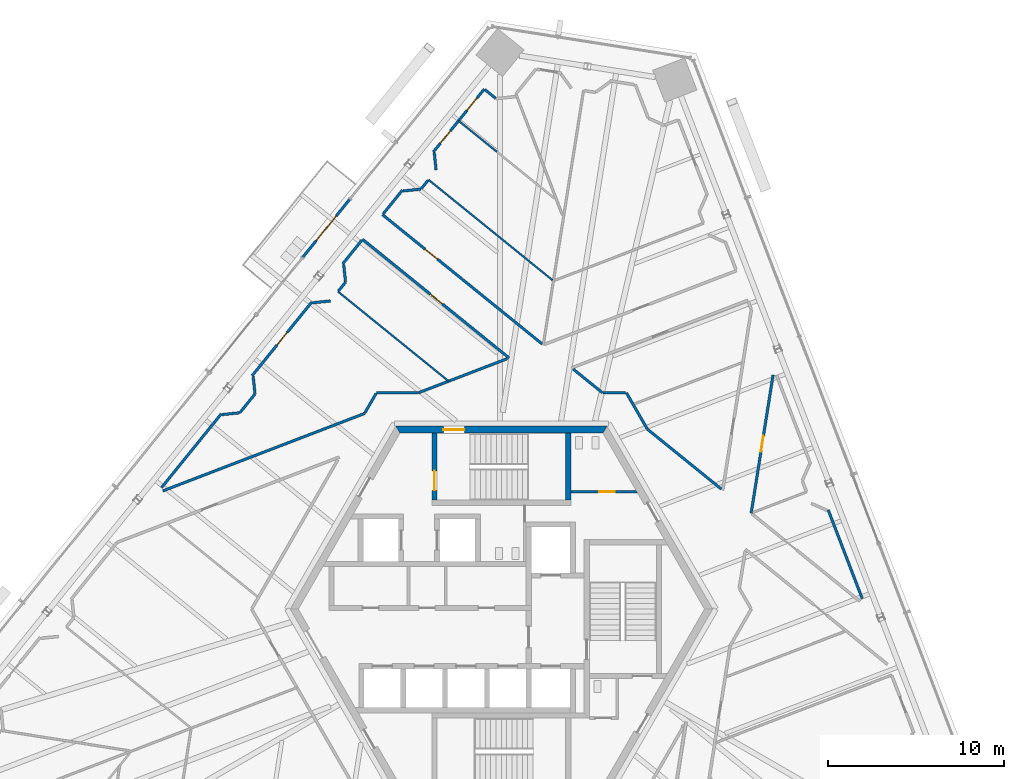
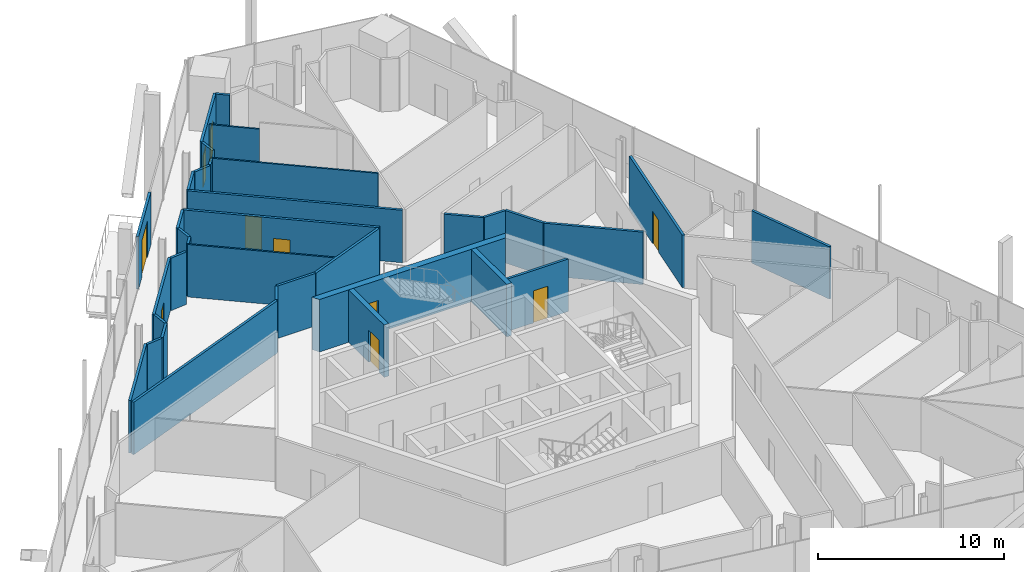
# One storey, part 15 of 23: 35 walls, 10 doors, 10 openings.
"""IFC4 building model written with IfcOpenShell, lengths in metres."""

from ifc_helpers import new_model, si_unit, direction, frame, frame_2d, origin, place, context, subcontext, project, spatial, polyline, rectangle, outline, extrude, source, transform, mapped, material, layer, layer_set, type_object, element, fill, save


model = new_model("IFC4")

# Units and contexts
model_context = context("Model", 3, precision=1e-05, world=origin(), true_north=direction((0.0, 1.0)))
body_context = subcontext(model_context, "Body", "Model", "MODEL_VIEW")
ifc_project = project(units=[si_unit("LENGTHUNIT", "METRE"), si_unit("AREAUNIT", "SQUARE_METRE"), si_unit("VOLUMEUNIT", "CUBIC_METRE"), si_unit("PLANEANGLEUNIT", "RADIAN"), si_unit("MASSUNIT", "GRAM", prefix="KILO")], contexts=[model_context])

# Site, building, storey
site_placement = place(None, origin())
site = spatial("IfcSite", under=ifc_project, at=site_placement, CompositionType="ELEMENT")
building_placement = place(site_placement, origin())
building = spatial("IfcBuilding", under=site, at=building_placement, Name="Triune Harvest Tower", CompositionType="ELEMENT")
storey_placement = place(building_placement, frame((0.0, 0.0, 167.699951171875)))
storey = spatial("IfcBuildingStorey", under=building, at=storey_placement, Name="L43", CompositionType="ELEMENT", Elevation=167.699951171875)

# Wall
ifc_material_1 = material(Name="Gypsum board on steel studs", Category="steel")
ifc_layer_1 = layer(ifc_material_1, 0.14990234375)
ifc_layer_set_1 = layer_set([ifc_layer_1], Name="Gypsum board on steel studs")
wall_type_1 = type_object("IfcWallType", Name="Fire Partition 150 mm", PredefinedType="PARTITIONING", material=ifc_layer_set_1)
wall_1_placement = place(storey_placement, frame((7.097412109375, 12.2919921875, 0.0), z_axis=(0.0, 0.0, 1.0), x_axis=(0.499956277081, -0.866050645752, 0.0)))
element("IfcWall", 1, at=wall_1_placement, inside=storey, type_object=wall_type_1, Name="Partition L43 025", PredefinedType="PARTITIONING", context=body_context, shape_type="SweptSolid", body=[
    extrude(rectangle(XDim=2.380126953125, YDim=0.14990234375, at=frame_2d((1.18994140625, 0.0))), origin(), (0.0, 0.0, 1.0), 3.43994140625),
])

# Wall, opening, door
wall_2_placement = place(storey_placement, frame((-6.7548828125, 22.406982421875, 0.0), z_axis=(0.0, 0.0, 1.0), x_axis=(0.777146947686, -0.629319173157, 0.0)))
wall_2 = element("IfcWall", 2, at=wall_2_placement, inside=storey, type_object=wall_type_1, Name="Partition L43 042", PredefinedType="PARTITIONING", context=body_context, shape_type="SweptSolid", body=[
    extrude(rectangle(XDim=11.67138671875, YDim=0.14990234375, at=frame_2d((5.835693359375, 0.0))), origin(), (0.0, 0.0, 1.0), 3.43994140625),
])
opening_1_placement = place(wall_2_placement, frame((3.118408203125, 0.0, 0.0)))
opening_1 = element("IfcOpeningElement", 3, at=opening_1_placement, cuts=wall_2, Name="Opening L43-016", PredefinedType="OPENING", context=body_context, shape_type="SweptSolid", body=[
    extrude(rectangle(XDim=0.89990234375, YDim=2.10009765625, at=frame_2d((0.449951171875, 1.050048828125))), frame((0.0, 0.0849609375, 0.0), z_axis=(0.0, -1.0, 0.0), x_axis=(1.0, 0.0, 0.0)), (0.0, 0.0, 1.0), 0.169921875),
])
ifc_material_2 = material(Name="Timber and steel door set", Category="steel")
door_type_1 = type_object("IfcDoorType", Name="Single leaf door FD30 left hand 900 x 2100", OperationType="SINGLE_SWING_LEFT", PredefinedType="DOOR", material=ifc_material_2)
door_1_placement = place(opening_1_placement, origin())
door_1 = element("IfcDoor", 4, at=door_1_placement, inside=storey, type_object=door_type_1, Name="Door L43-016 Office 43.16", OperationType="SINGLE_SWING_LEFT", OverallHeight=2.10009765625, OverallWidth=0.89990234375, PredefinedType="DOOR", context=body_context, shape_type="SweptSolid", body=[
    extrude(rectangle(XDim=0.89990234375, YDim=2.10009765625, at=frame_2d((0.449951171875, 1.050048828125))), frame((0.0, 0.02490234375, 0.0), z_axis=(0.0, -1.0, 0.0), x_axis=(1.0, 0.0, 0.0)), (0.0, 0.0, 1.0), 0.050048828125),
])
fill(opening_1, door_1)

# Walls
wall_3_placement = place(storey_placement, frame((8.292236328125, 10.221923828125, 0.0), z_axis=(0.0, 0.0, 1.0), x_axis=(0.777158520976, -0.629304881019, 0.0)))
element("IfcWall", 5, at=wall_3_placement, inside=storey, type_object=wall_type_1, Name="Partition L43 044", PredefinedType="PARTITIONING", context=body_context, shape_type="SweptSolid", body=[
    extrude(rectangle(XDim=5.3994140625, YDim=0.14990234375, at=frame_2d((2.69970703125, 0.0))), origin(), (0.0, 0.0, 1.0), 3.43994140625),
])
wall_4_placement = place(storey_placement, frame((5.765625, 12.292236328125, 0.0), z_axis=(0.0, 0.0, 1.0), x_axis=(1.0, 0.0, 0.0)))
element("IfcWall", 6, at=wall_4_placement, inside=storey, type_object=wall_type_1, Name="Partition L43 075", PredefinedType="PARTITIONING", context=body_context, shape_type="SweptSolid", body=[
    extrude(rectangle(XDim=1.281494140625, YDim=0.14990234375, at=frame_2d((0.640625, 0.0))), origin(), (0.0, 0.0, 1.0), 3.43994140625),
])
wall_5_placement = place(storey_placement, frame((-19.234130859375, 6.7158203125, 0.0), z_axis=(0.0, 0.0, 1.0), x_axis=(0.93358843832, 0.358347077335, 0.0)))
element("IfcWall", 7, at=wall_5_placement, inside=storey, type_object=wall_type_1, Name="Partition L43 093", PredefinedType="PARTITIONING", context=body_context, shape_type="SweptSolid", body=[
    extrude(rectangle(XDim=12.271484375, YDim=0.14990234375, at=frame_2d((6.1357421875, 0.0))), origin(), (0.0, 0.0, 1.0), 3.43994140625),
])
wall_6_placement = place(storey_placement, frame((-4.70654296875, 12.292236328125, 0.0), z_axis=(0.0, 0.0, 1.0), x_axis=(0.933580798553, 0.358366980305, 0.0)))
element("IfcWall", 8, at=wall_6_placement, inside=storey, type_object=wall_type_1, Name="Partition L43 094", PredefinedType="PARTITIONING", context=body_context, shape_type="SweptSolid", body=[
    extrude(rectangle(XDim=5.399658203125, YDim=0.14990234375, at=frame_2d((2.69970703125, 0.0))), origin(), (0.0, 0.0, 1.0), 3.43994140625),
])
wall_7_placement = place(storey_placement, frame((-14.86328125, 11.153564453125, 0.0), z_axis=(0.0, 0.0, 1.0), x_axis=(0.629264797165, 0.777190977205, 0.0)))
element("IfcWall", 9, at=wall_7_placement, inside=storey, type_object=wall_type_1, Name="Partition L43 112", PredefinedType="PARTITIONING", context=body_context, shape_type="SweptSolid", body=[
    extrude(rectangle(XDim=1.37158203125, YDim=0.14990234375, at=frame_2d((0.685791015625, 0.0))), origin(), (0.0, 0.0, 1.0), 3.43994140625),
])
wall_8_placement = place(storey_placement, frame((-9.265625, 18.06640625, 0.0), z_axis=(0.0, 0.0, 1.0), x_axis=(0.629209009151, 0.777236143526, 0.0)))
element("IfcWall", 10, at=wall_8_placement, inside=storey, type_object=wall_type_1, Name="Partition L43 113", PredefinedType="PARTITIONING", context=body_context, shape_type="SweptSolid", body=[
    extrude(rectangle(XDim=0.6513671875, YDim=0.14990234375, at=frame_2d((0.32568359375, 0.0))), origin(), (0.0, 0.0, 1.0), 3.43994140625),
])
wall_9_placement = place(storey_placement, frame((-9.01806640625, 19.612060546875, 0.0), z_axis=(0.0, 0.0, 1.0), x_axis=(0.629338998071, 0.777130893419, 0.0)))
element("IfcWall", 11, at=wall_9_placement, inside=storey, type_object=wall_type_1, Name="Partition L43 119", PredefinedType="PARTITIONING", context=body_context, shape_type="SweptSolid", body=[
    extrude(rectangle(XDim=1.74609375, YDim=0.14990234375, at=frame_2d((0.873046875, 0.0))), origin(), (0.0, 0.0, 1.0), 3.43994140625),
])
wall_10_placement = place(storey_placement, frame((-6.722900390625, 22.446044921875, 0.0), z_axis=(0.0, 0.0, 1.0), x_axis=(0.629238462056, 0.777212299098, 0.0)))
element("IfcWall", 12, at=wall_10_placement, inside=storey, type_object=wall_type_1, Name="Partition L43 120", PredefinedType="PARTITIONING", context=body_context, shape_type="SweptSolid", body=[
    extrude(rectangle(XDim=1.74560546875, YDim=0.14990234375, at=frame_2d((0.872802734375, 0.0))), origin(), (0.0, 0.0, 1.0), 3.43994140625),
])
wall_11_placement = place(storey_placement, frame((-7.76220703125, 11.1396484375, 0.0), z_axis=(0.0, 0.0, 1.0), x_axis=(0.500074377092, 0.865982457891, 0.0)))
element("IfcWall", 13, at=wall_11_placement, inside=storey, type_object=wall_type_1, Name="Partition L43 125", PredefinedType="PARTITIONING", context=body_context, shape_type="SweptSolid", body=[
    extrude(rectangle(XDim=1.281005859375, YDim=0.14990234375, at=frame_2d((0.640625, 0.0))), origin(), (0.0, 0.0, 1.0), 3.43994140625),
])

# Wall, opening, door
wall_12_placement = place(storey_placement, frame((14.189208984375, 5.44677734375, 0.0), z_axis=(0.0, 0.0, 1.0), x_axis=(0.156421418699, 0.987690406844, 0.0)))
wall_12 = element("IfcWall", 14, at=wall_12_placement, inside=storey, type_object=wall_type_1, Name="Partition L43 135", PredefinedType="PARTITIONING", context=body_context, shape_type="SweptSolid", body=[
    extrude(rectangle(XDim=7.95068359375, YDim=0.14990234375, at=frame_2d((3.975341796875, 0.0))), origin(), (0.0, 0.0, 1.0), 3.43994140625),
])
opening_2_placement = place(wall_12_placement, frame((3.550048828125, 0.0, 0.0)))
opening_2 = element("IfcOpeningElement", 15, at=opening_2_placement, cuts=wall_12, Name="Opening L43-008", PredefinedType="OPENING", context=body_context, shape_type="SweptSolid", body=[
    extrude(rectangle(XDim=0.89990234375, YDim=2.10009765625, at=frame_2d((0.449951171875, 1.050048828125))), frame((0.0, 0.0849609375, 0.0), z_axis=(0.0, -1.0, 0.0), x_axis=(1.0, 0.0, 0.0)), (0.0, 0.0, 1.0), 0.169921875),
])
door_2_placement = place(opening_2_placement, origin())
door_2 = element("IfcDoor", 16, at=door_2_placement, inside=storey, type_object=door_type_1, Name="Door L43-008 Meeting Room 43.08", OperationType="SINGLE_SWING_LEFT", OverallHeight=2.10009765625, OverallWidth=0.89990234375, PredefinedType="DOOR", context=body_context, shape_type="SweptSolid", body=[
    extrude(rectangle(XDim=0.89990234375, YDim=2.10009765625, at=frame_2d((0.449951171875, 1.050048828125))), frame((0.0, 0.02490234375, 0.0), z_axis=(0.0, -1.0, 0.0), x_axis=(1.0, 0.0, 0.0)), (0.0, 0.0, 1.0), 0.050048828125),
])
fill(opening_2, door_2)

# Walls
ifc_material_3 = material(Name="Gypsum board on steel studs", Category="steel")
ifc_layer_2 = layer(ifc_material_3, 0.10009765625)
ifc_layer_set_2 = layer_set([ifc_layer_2], Name="Gypsum board on steel studs")
wall_type_2 = type_object("IfcWallType", Name="Partition 100 mm", PredefinedType="PARTITIONING", material=ifc_layer_set_2)
wall_13_placement = place(storey_placement, frame((-9.287109375, 18.039794921875, 0.0), z_axis=(0.0, 0.0, 1.0), x_axis=(0.777142974034, -0.629324080192, 0.0)))
element("IfcWall", 17, at=wall_13_placement, inside=storey, type_object=wall_type_2, Name="Partition L43 039", PredefinedType="PARTITIONING", context=body_context, shape_type="SweptSolid", body=[
    extrude(rectangle(XDim=8.09130859375, YDim=0.10009765625, at=frame_2d((4.045654296875, 0.0))), origin(), (0.0, 0.0, 1.0), 3.43994140625),
])
wall_14_placement = place(storey_placement, frame((-4.142333984375, 24.392822265625, 0.0), z_axis=(0.0, 0.0, 1.0), x_axis=(0.777157735179, -0.629305851435, 0.0)))
element("IfcWall", 18, at=wall_14_placement, inside=storey, type_object=wall_type_2, Name="Partition L43 046", PredefinedType="PARTITIONING", context=body_context, shape_type="SweptSolid", body=[
    extrude(rectangle(XDim=9.0703125, YDim=0.10009765625, at=frame_2d((4.53515625, 0.0))), origin(), (0.0, 0.0, 1.0), 3.43994140625),
])

# Wall, opening, door
ifc_material_4 = material(Name="Concrete 70 MPa", Category="concrete")
ifc_layer_3 = layer(ifc_material_4, 0.39990234375)
ifc_layer_set_3 = layer_set([ifc_layer_3], Name="Concrete 70 MPa")
wall_type_3 = type_object("IfcWallType", Name="Core wall 400", PredefinedType="SHEAR", material=ifc_layer_set_3)
shared_shape_1 = source(origin(), body_context, "Body", "SweptSolid", [
    extrude(outline(polyline([(-0.115478515625, -0.199951171875), (11.884521484375, -0.199951171875), (11.653564453125, 0.199951171875), (0.115478515625, 0.199951171875), (-0.115478515625, -0.199951171875)])), origin(), (0.0, 0.0, 1.0), 3.43994140625),
])
wall_15_placement = place(storey_placement, frame((5.884521484375, 10.1923828125, 0.0), z_axis=(0.0, 0.0, 1.0), x_axis=(-1.0, 0.0, 0.0)))
wall_15 = element("IfcWall", 19, at=wall_15_placement, inside=storey, type_object=wall_type_3, Name="Hexagon 1 wall", PredefinedType="SHEAR", context=body_context, shape_type="MappedRepresentation", body=[
    mapped(shared_shape_1, transform((0.0, 0.0, 0.0), scale=1.0)),
])
opening_3_placement = place(wall_15_placement, frame((7.984619140625, 0.0, 0.0)))
opening_3 = element("IfcOpeningElement", 20, at=opening_3_placement, cuts=wall_15, Name="Opening CD-S1P", PredefinedType="OPENING", context=body_context, shape_type="SweptSolid", body=[
    extrude(rectangle(XDim=1.199951171875, YDim=2.10009765625, at=frame_2d((0.60009765625, 1.050048828125))), frame((0.0, 0.2099609375, 0.0), z_axis=(0.0, -1.0, 0.0), x_axis=(1.0, 0.0, 0.0)), (0.0, 0.0, 1.0), 0.419921875),
])
ifc_material_5 = material(Name="Steel S235", Category="steel")
door_type_2 = type_object("IfcDoorType", Name="Stair door 1200 FD120", OperationType="SINGLE_SWING_LEFT", PredefinedType="DOOR", material=ifc_material_5)
door_3_placement = place(opening_3_placement, frame((1.199951171875, 0.0, 0.0), z_axis=(0.0, 0.0, 1.0), x_axis=(-1.0, 0.0, 0.0)))
door_3 = element("IfcDoor", 21, at=door_3_placement, inside=storey, type_object=door_type_2, Name="Door CD-S1P", OperationType="SINGLE_SWING_RIGHT", OverallHeight=2.10009765625, OverallWidth=1.199951171875, PredefinedType="DOOR", context=body_context, shape_type="SweptSolid", body=[
    extrude(rectangle(XDim=1.199951171875, YDim=2.10009765625, at=frame_2d((0.60009765625, 1.050048828125))), frame((0.0, 0.02490234375, 0.0), z_axis=(0.0, -1.0, 0.0), x_axis=(1.0, 0.0, 0.0)), (0.0, 0.0, 1.0), 0.050048828125),
])
fill(opening_3, door_3)

ifc_material_6 = material(Name="Concrete 70 MPa", Category="concrete")
ifc_layer_4 = layer(ifc_material_6, 0.300048828125)
ifc_layer_set_4 = layer_set([ifc_layer_4], Name="Concrete 70 MPa")
wall_type_4 = type_object("IfcWallType", Name="Core wall 300", PredefinedType="SHEAR", material=ifc_layer_set_4)
shared_shape_2 = source(origin(), body_context, "Body", "SweptSolid", [
    extrude(outline(polyline([(0.0, -0.14990234375), (0.0, 0.14990234375), (3.80419921875, 0.14990234375), (3.80419921875, -0.14990234375), (0.0, -0.14990234375)])), origin(), (0.0, 0.0, 1.0), 3.43994140625),
])
wall_16_placement = place(storey_placement, frame((-3.800048828125, 6.18994140625, 0.0), z_axis=(0.0, 0.0, 1.0), x_axis=(0.0, 1.0, 0.0)))
wall_16 = element("IfcWall", 22, at=wall_16_placement, inside=storey, type_object=wall_type_4, Name="Stair n west wall", PredefinedType="SHEAR", context=body_context, shape_type="MappedRepresentation", body=[
    mapped(shared_shape_2, transform((0.0, 0.0, 0.0), scale=1.0)),
])
opening_4_placement = place(wall_16_placement, frame((0.56005859375, 0.0, 0.0)))
opening_4 = element("IfcOpeningElement", 23, at=opening_4_placement, cuts=wall_16, Name="Opening CD-S1L", PredefinedType="OPENING", context=body_context, shape_type="SweptSolid", body=[
    extrude(rectangle(XDim=1.10009765625, YDim=2.10009765625, at=frame_2d((0.550048828125, 1.050048828125))), frame((0.0, 0.16015625, 0.0), z_axis=(0.0, -1.0, 0.0), x_axis=(1.0, 0.0, 0.0)), (0.0, 0.0, 1.0), 0.320068359375),
])
ifc_material_7 = material(Name="Steel S235", Category="steel")
door_type_3 = type_object("IfcDoorType", Name="Stair door 1100 FD120", OperationType="SINGLE_SWING_LEFT", PredefinedType="DOOR", material=ifc_material_7)
door_4_placement = place(opening_4_placement, frame((1.10009765625, 0.0, 0.0), z_axis=(0.0, 0.0, 1.0), x_axis=(-1.0, 0.0, 0.0)))
door_4 = element("IfcDoor", 24, at=door_4_placement, inside=storey, type_object=door_type_3, Name="Door CD-S1L", OperationType="SINGLE_SWING_RIGHT", OverallHeight=2.10009765625, OverallWidth=1.10009765625, PredefinedType="DOOR", context=body_context, shape_type="SweptSolid", body=[
    extrude(rectangle(XDim=1.10009765625, YDim=2.10009765625, at=frame_2d((0.550048828125, 1.050048828125))), frame((0.0, 0.02490234375, 0.0), z_axis=(0.0, -1.0, 0.0), x_axis=(1.0, 0.0, 0.0)), (0.0, 0.0, 1.0), 0.050048828125),
])
fill(opening_4, door_4)

# Wall
wall_17_placement = place(storey_placement, frame((3.800048828125, 6.18994140625, 0.0), z_axis=(0.0, 0.0, 1.0), x_axis=(0.0, 1.0, 0.0)))
element("IfcWall", 25, at=wall_17_placement, inside=storey, type_object=wall_type_4, Name="Stair n east wall", PredefinedType="SHEAR", context=body_context, shape_type="MappedRepresentation", body=[
    mapped(shared_shape_2, transform((0.0, 0.0, 0.0), scale=1.0)),
])

# Wall, opening, door
ifc_material_8 = material(Name="Concrete masonry unit", Category="masonry")
ifc_layer_5 = layer(ifc_material_8, 0.14990234375)
ifc_layer_set_5 = layer_set([ifc_layer_5], Name="Concrete masonry unit")
wall_type_5 = type_object("IfcWallType", Name="Block partition 150 unrated", PredefinedType="PARTITIONING", material=ifc_layer_set_5)
shared_shape_3 = source(origin(), body_context, "Body", "SweptSolid", [
    extrude(outline(polyline([(0.0, -0.074951171875), (0.0, 0.074951171875), (3.693359375, 0.074951171875), (3.77978515625, -0.074951171875), (0.0, -0.074951171875)])), origin(), (0.0, 0.0, 1.0), 3.43994140625),
])
wall_18_placement = place(storey_placement, frame((3.949951171875, 6.675048828125, 0.0), z_axis=(0.0, 0.0, 1.0), x_axis=(1.0, 0.0, 0.0)))
wall_18 = element("IfcWall", 26, at=wall_18_placement, inside=storey, type_object=wall_type_5, Name="Wc women south wall", PredefinedType="PARTITIONING", context=body_context, shape_type="MappedRepresentation", body=[
    mapped(shared_shape_3, transform((0.0, 0.0, 0.0), scale=1.0)),
])
opening_5_placement = place(wall_18_placement, frame((1.60009765625, 0.0, 0.0)))
opening_5 = element("IfcOpeningElement", 27, at=opening_5_placement, cuts=wall_18, Name="Opening CD-WW", PredefinedType="OPENING", context=body_context, shape_type="SweptSolid", body=[
    extrude(rectangle(XDim=0.89990234375, YDim=2.10009765625, at=frame_2d((0.449951171875, 1.050048828125))), frame((0.0, 0.0849609375, 0.0), z_axis=(0.0, -1.0, 0.0), x_axis=(1.0, 0.0, 0.0)), (0.0, 0.0, 1.0), 0.169921875),
])
ifc_material_9 = material(Name="Timber C24", Category="wood")
door_type_4 = type_object("IfcDoorType", Name="WC door 900", OperationType="SINGLE_SWING_LEFT", PredefinedType="DOOR", material=ifc_material_9)
door_5_placement = place(opening_5_placement, origin())
door_5 = element("IfcDoor", 28, at=door_5_placement, inside=storey, type_object=door_type_4, Name="Door CD-WW", OperationType="SINGLE_SWING_LEFT", OverallHeight=2.10009765625, OverallWidth=0.89990234375, PredefinedType="DOOR", context=body_context, shape_type="SweptSolid", body=[
    extrude(rectangle(XDim=0.89990234375, YDim=2.10009765625, at=frame_2d((0.449951171875, 1.050048828125))), frame((0.0, 0.02490234375, 0.0), z_axis=(0.0, -1.0, 0.0), x_axis=(1.0, 0.0, 0.0)), (0.0, 0.0, 1.0), 0.050048828125),
])
fill(opening_5, door_5)

ifc_material_10 = material(Name="Aluminium bronze anodised", Category="aluminium")
ifc_layer_6 = layer(ifc_material_10, 0.14990234375)
ifc_layer_set_6 = layer_set([ifc_layer_6], Name="Aluminium bronze anodised")
wall_type_6 = type_object("IfcWallType", Name="WW-2 balcony window wall", PredefinedType="ELEMENTEDWALL", material=ifc_layer_set_6)
shared_shape_4 = source(origin(), body_context, "Body", "SweptSolid", [
    extrude(rectangle(XDim=4.220947265625, YDim=0.14990234375, at=frame_2d((2.1103515625, 0.0))), origin(), (0.0, 0.0, 1.0), 3.43994140625),
])
wall_19_placement = place(storey_placement, frame((-11.27978515625, 19.997314453125, 0.0), z_axis=(0.0, 0.0, 1.0), x_axis=(0.629346300968, 0.777124979304, 0.0)))
wall_19 = element("IfcWall", 29, at=wall_19_placement, inside=storey, type_object=wall_type_6, Name="WW-2 B4-F3 L43.4", PredefinedType="ELEMENTEDWALL", context=body_context, shape_type="MappedRepresentation", body=[
    mapped(shared_shape_4, transform((0.0, 0.0, 0.0), scale=1.0)),
])
opening_6_placement = place(wall_19_placement, frame((1.21044921875, 0.0, 0.0)))
opening_6 = element("IfcOpeningElement", 30, at=opening_6_placement, cuts=wall_19, Name="Opening L43-E01", PredefinedType="OPENING", context=body_context, shape_type="SweptSolid", body=[
    extrude(rectangle(XDim=1.800048828125, YDim=2.39990234375, at=frame_2d((0.89990234375, 1.199951171875))), frame((0.0, 0.0849609375, 0.0), z_axis=(0.0, -1.0, 0.0), x_axis=(1.0, 0.0, 0.0)), (0.0, 0.0, 1.0), 0.169921875),
])
ifc_material_11 = material(Name="Glass", Category="glass")
door_type_5 = type_object("IfcDoorType", Name="DB-1 balcony door 1800 x 2400", OperationType="DOUBLE_DOOR_SINGLE_SWING", PredefinedType="DOOR", material=ifc_material_11)
door_6_placement = place(opening_6_placement, origin())
door_6 = element("IfcDoor", 31, at=door_6_placement, inside=storey, type_object=door_type_5, Name="Door L43-E01", OperationType="DOUBLE_DOOR_SINGLE_SWING", OverallHeight=2.39990234375, OverallWidth=1.800048828125, PredefinedType="DOOR", context=body_context, shape_type="SweptSolid", body=[
    extrude(rectangle(XDim=1.800048828125, YDim=2.39990234375, at=frame_2d((0.89990234375, 1.199951171875))), frame((0.0, 0.02490234375, 0.0), z_axis=(0.0, -1.0, 0.0), x_axis=(1.0, 0.0, 0.0)), (0.0, 0.0, 1.0), 0.050048828125),
])
fill(opening_6, door_6)

# Walls
shared_shape_5 = source(origin(), body_context, "Body", "SweptSolid", [
    extrude(rectangle(XDim=0.983642578125, YDim=0.14990234375, at=frame_2d((0.49169921875, 0.0))), origin(), (0.0, 0.0, 1.0), 3.43994140625),
])
for number, where, z_axis, x_axis, name in (
    (32, (-14.106201171875, 13.227783203125, 0.0), (0.0, 0.0, 1.0), (0.104490984784, -0.994525833802, 0.0), "Partition L43 003"),
    (33, (-8.96142578125, 19.580810546875, 0.0), (0.0, 0.0, 1.0), (0.104490984784, -0.994525833802, 0.0), "Partition L43 004"),
    (34, (-3.816650390625, 25.93408203125, 0.0), (0.0, 0.0, 1.0), (0.104490984784, -0.994525833802, 0.0), "Partition L43 005"),
    (35, (-15.87158203125, 11.047607421875, 0.0), (0.0, 0.0, 1.0), (0.994525833802, 0.104490984784, 0.0), "Partition L43 078"),
):
    element("IfcWall", number, at=place(storey_placement, frame(where, z_axis=z_axis, x_axis=x_axis)), inside=storey, type_object=wall_type_1, Name=name, PredefinedType="PARTITIONING", context=body_context, shape_type="MappedRepresentation", body=[
        mapped(shared_shape_5, transform((0.0, 0.0, 0.0), scale=1.0)),
    ])

# Wall, openings, doors
shared_shape_6 = source(origin(), body_context, "Body", "SweptSolid", [
    extrude(rectangle(XDim=4.603271484375, YDim=0.14990234375, at=frame_2d((2.3017578125, 0.0))), origin(), (0.0, 0.0, 1.0), 3.43994140625),
])
wall_20_placement = place(storey_placement, frame((-3.873046875, 25.965576171875, 0.0), z_axis=(0.0, 0.0, 1.0), x_axis=(0.62932790439, 0.777139877214, 0.0)))
wall_20 = element("IfcWall", 36, at=wall_20_placement, inside=storey, type_object=wall_type_1, Name="Partition L43 121", PredefinedType="PARTITIONING", context=body_context, shape_type="MappedRepresentation", body=[
    mapped(shared_shape_6, transform((0.0, 0.0, 0.0), scale=1.0)),
])
opening_7_placement = place(wall_20_placement, frame((0.64990234375, 0.0, 0.0)))
opening_7 = element("IfcOpeningElement", 37, at=opening_7_placement, cuts=wall_20, Name="Opening L43-013", PredefinedType="OPENING", context=body_context, shape_type="SweptSolid", body=[
    extrude(rectangle(XDim=0.89990234375, YDim=2.10009765625, at=frame_2d((0.449951171875, 1.050048828125))), frame((0.0, 0.0849609375, 0.0), z_axis=(0.0, -1.0, 0.0), x_axis=(1.0, 0.0, 0.0)), (0.0, 0.0, 1.0), 0.169921875),
])
opening_8_placement = place(wall_20_placement, frame((3.037109375, 0.0, 0.0)))
opening_8 = element("IfcOpeningElement", 38, at=opening_8_placement, cuts=wall_20, Name="Opening L43-014", PredefinedType="OPENING", context=body_context, shape_type="SweptSolid", body=[
    extrude(rectangle(XDim=0.89990234375, YDim=2.10009765625, at=frame_2d((0.449951171875, 1.050048828125))), frame((0.0, 0.0849609375, 0.0), z_axis=(0.0, -1.0, 0.0), x_axis=(1.0, 0.0, 0.0)), (0.0, 0.0, 1.0), 0.169921875),
])
door_7_placement = place(opening_8_placement, origin())
door_7 = element("IfcDoor", 39, at=door_7_placement, inside=storey, type_object=door_type_1, Name="Door L43-014 Phone room 43.14", OperationType="SINGLE_SWING_LEFT", OverallHeight=2.10009765625, OverallWidth=0.89990234375, PredefinedType="DOOR", context=body_context, shape_type="SweptSolid", body=[
    extrude(rectangle(XDim=0.89990234375, YDim=2.10009765625, at=frame_2d((0.449951171875, 1.050048828125))), frame((0.0, 0.02490234375, 0.0), z_axis=(0.0, -1.0, 0.0), x_axis=(1.0, 0.0, 0.0)), (0.0, 0.0, 1.0), 0.050048828125),
])
fill(opening_8, door_7)
ifc_material_12 = material(Name="Timber and steel door set", Category="steel")
door_type_6 = type_object("IfcDoorType", Name="Single leaf door FD30 right hand 900 x 2100", OperationType="SINGLE_SWING_RIGHT", PredefinedType="DOOR", material=ifc_material_12)
door_8_placement = place(opening_7_placement, origin())
door_8 = element("IfcDoor", 40, at=door_8_placement, inside=storey, type_object=door_type_6, Name="Door L43-013 Meeting Room 43.13", OperationType="SINGLE_SWING_RIGHT", OverallHeight=2.10009765625, OverallWidth=0.89990234375, PredefinedType="DOOR", context=body_context, shape_type="SweptSolid", body=[
    extrude(rectangle(XDim=0.89990234375, YDim=2.10009765625, at=frame_2d((0.449951171875, 1.050048828125))), frame((0.0, 0.02490234375, 0.0), z_axis=(0.0, -1.0, 0.0), x_axis=(1.0, 0.0, 0.0)), (0.0, 0.0, 1.0), 0.050048828125),
])
fill(opening_7, door_8)

# Walls
shared_shape_7 = source(origin(), body_context, "Body", "SweptSolid", [
    extrude(rectangle(XDim=5.3916015625, YDim=0.14990234375, at=frame_2d((2.69580078125, 0.0))), origin(), (0.0, 0.0, 1.0), 3.43994140625),
])
wall_21_placement = place(storey_placement, frame((-19.30712890625, 6.90625, 0.0), z_axis=(0.0, 0.0, 1.0), x_axis=(0.629333693889, 0.777135188842, 0.0)))
element("IfcWall", 41, at=wall_21_placement, inside=storey, type_object=wall_type_1, Name="Partition L43 117", PredefinedType="PARTITIONING", context=body_context, shape_type="MappedRepresentation", body=[
    mapped(shared_shape_7, transform((0.0, 0.0, 0.0), scale=1.0)),
])
shared_shape_8 = source(origin(), body_context, "Body", "SweptSolid", [
    extrude(rectangle(XDim=5.391845703125, YDim=0.14990234375, at=frame_2d((2.69580078125, 0.0))), origin(), (0.0, 0.0, 1.0), 3.43994140625),
])
wall_22_placement = place(storey_placement, frame((18.564208984375, 5.635498046875, 0.0), z_axis=(0.0, 0.0, 1.0), x_axis=(0.358347874622, -0.933588132291, 0.0)))
element("IfcWall", 42, at=wall_22_placement, inside=storey, type_object=wall_type_1, Name="Partition L43 021", PredefinedType="PARTITIONING", context=body_context, shape_type="MappedRepresentation", body=[
    mapped(shared_shape_8, transform((0.0, 0.0, 0.0), scale=1.0)),
])

# Wall, opening, door
wall_23_placement = place(storey_placement, frame((-14.16259765625, 13.25927734375, 0.0), z_axis=(0.0, 0.0, 1.0), x_axis=(0.62933889475, 0.777130977091, 0.0)))
wall_23 = element("IfcWall", 43, at=wall_23_placement, inside=storey, type_object=wall_type_1, Name="Partition L43 118", PredefinedType="PARTITIONING", context=body_context, shape_type="MappedRepresentation", body=[
    mapped(shared_shape_8, transform((0.0, 0.0, 0.0), scale=1.0)),
])
opening_9_placement = place(wall_23_placement, frame((2.25, 0.0, 0.0)))
opening_9 = element("IfcOpeningElement", 44, at=opening_9_placement, cuts=wall_23, Name="Opening L43-017", PredefinedType="OPENING", context=body_context, shape_type="SweptSolid", body=[
    extrude(rectangle(XDim=0.89990234375, YDim=2.10009765625, at=frame_2d((0.449951171875, 1.050048828125))), frame((0.0, 0.0849609375, 0.0), z_axis=(0.0, -1.0, 0.0), x_axis=(1.0, 0.0, 0.0)), (0.0, 0.0, 1.0), 0.169921875),
])
door_9_placement = place(opening_9_placement, origin())
door_9 = element("IfcDoor", 45, at=door_9_placement, inside=storey, type_object=door_type_1, Name="Door L43-017 Project Room 43.17", OperationType="SINGLE_SWING_LEFT", OverallHeight=2.10009765625, OverallWidth=0.89990234375, PredefinedType="DOOR", context=body_context, shape_type="SweptSolid", body=[
    extrude(rectangle(XDim=0.89990234375, YDim=2.10009765625, at=frame_2d((0.449951171875, 1.050048828125))), frame((0.0, 0.02490234375, 0.0), z_axis=(0.0, -1.0, 0.0), x_axis=(1.0, 0.0, 0.0)), (0.0, 0.0, 1.0), 0.050048828125),
])
fill(opening_9, door_9)

# Wall
shared_shape_9 = source(origin(), body_context, "Body", "SweptSolid", [
    extrude(rectangle(XDim=0.782958984375, YDim=0.14990234375, at=frame_2d((0.3916015625, 0.0))), origin(), (0.0, 0.0, 1.0), 3.43994140625),
])
wall_24_placement = place(storey_placement, frame((-0.937255859375, 29.511474609375, 0.0), z_axis=(0.0, 0.0, 1.0), x_axis=(0.777143187217, -0.629323816936, 0.0)))
element("IfcWall", 46, at=wall_24_placement, inside=storey, type_object=wall_type_1, Name="Partition L43 048", PredefinedType="PARTITIONING", context=body_context, shape_type="MappedRepresentation", body=[
    mapped(shared_shape_9, transform((0.0, 0.0, 0.0), scale=1.0)),
])

# Wall, opening, door
shared_shape_10 = source(origin(), body_context, "Body", "SweptSolid", [
    extrude(rectangle(XDim=10.7119140625, YDim=0.14990234375, at=frame_2d((5.35595703125, 0.0))), origin(), (0.0, 0.0, 1.0), 3.43994140625),
])
wall_25_placement = place(storey_placement, frame((-7.887451171875, 21.00830078125, 0.0), z_axis=(0.0, 0.0, 1.0), x_axis=(0.777125965736, -0.629345082907, 0.0)))
wall_25 = element("IfcWall", 47, at=wall_25_placement, inside=storey, type_object=wall_type_1, Name="Partition L43 040", PredefinedType="PARTITIONING", context=body_context, shape_type="MappedRepresentation", body=[
    mapped(shared_shape_10, transform((0.0, 0.0, 0.0), scale=1.0)),
])
opening_10_placement = place(wall_25_placement, frame((4.949951171875, 0.0, 0.0)))
opening_10 = element("IfcOpeningElement", 48, at=opening_10_placement, cuts=wall_25, Name="Opening L43-015", PredefinedType="OPENING", context=body_context, shape_type="SweptSolid", body=[
    extrude(rectangle(XDim=0.89990234375, YDim=2.10009765625, at=frame_2d((0.449951171875, 1.050048828125))), frame((0.0, 0.0849609375, 0.0), z_axis=(0.0, -1.0, 0.0), x_axis=(1.0, 0.0, 0.0)), (0.0, 0.0, 1.0), 0.169921875),
])
door_10_placement = place(opening_10_placement, origin())
door_10 = element("IfcDoor", 49, at=door_10_placement, inside=storey, type_object=door_type_1, Name="Door L43-015 Meeting Room 43.15", OperationType="SINGLE_SWING_LEFT", OverallHeight=2.10009765625, OverallWidth=0.89990234375, PredefinedType="DOOR", context=body_context, shape_type="SweptSolid", body=[
    extrude(rectangle(XDim=0.89990234375, YDim=2.10009765625, at=frame_2d((0.449951171875, 1.050048828125))), frame((0.0, 0.02490234375, 0.0), z_axis=(0.0, -1.0, 0.0), x_axis=(1.0, 0.0, 0.0)), (0.0, 0.0, 1.0), 0.050048828125),
])
fill(opening_10, door_10)

# Walls
shared_shape_11 = source(origin(), body_context, "Body", "SweptSolid", [
    extrude(rectangle(XDim=2.132568359375, YDim=0.14990234375, at=frame_2d((1.06640625, 0.0))), origin(), (0.0, 0.0, 1.0), 3.43994140625),
])
wall_26_placement = place(storey_placement, frame((4.078369140625, 13.634521484375, 0.0), z_axis=(0.0, 0.0, 1.0), x_axis=(0.77707955586, -0.629402386287, 0.0)))
element("IfcWall", 50, at=wall_26_placement, inside=storey, type_object=wall_type_1, Name="Partition L43 043", PredefinedType="PARTITIONING", context=body_context, shape_type="MappedRepresentation", body=[
    mapped(shared_shape_11, transform((0.0, 0.0, 0.0), scale=1.0)),
])
shared_shape_12 = source(origin(), body_context, "Body", "SweptSolid", [
    extrude(rectangle(XDim=2.8017578125, YDim=0.10009765625, at=frame_2d((1.40087890625, 0.0))), origin(), (0.0, 0.0, 1.0), 3.0234375),
])
wall_27_placement = place(storey_placement, frame((-2.433837890625, 27.742919921875, 0.0), z_axis=(0.0, 0.0, 1.0), x_axis=(0.777165726, -0.629295983089, 0.0)))
element("IfcWall", 51, at=wall_27_placement, inside=storey, type_object=wall_type_2, Name="Partition L43 047", PredefinedType="PARTITIONING", context=body_context, shape_type="MappedRepresentation", body=[
    mapped(shared_shape_12, transform((0.0, 0.0, 0.0), scale=1.0)),
])
shared_shape_13 = source(origin(), body_context, "Body", "SweptSolid", [
    extrude(rectangle(XDim=2.38037109375, YDim=0.14990234375, at=frame_2d((1.190185546875, 0.0))), origin(), (0.0, 0.0, 1.0), 3.43994140625),
])
wall_28_placement = place(storey_placement, frame((-7.096923828125, 12.292236328125, 0.0), z_axis=(0.0, 0.0, 1.0), x_axis=(1.0, 0.0, 0.0)))
element("IfcWall", 52, at=wall_28_placement, inside=storey, type_object=wall_type_1, Name="Partition L43 074", PredefinedType="PARTITIONING", context=body_context, shape_type="MappedRepresentation", body=[
    mapped(shared_shape_13, transform((0.0, 0.0, 0.0), scale=1.0)),
])
shared_shape_14 = source(origin(), body_context, "Body", "SweptSolid", [
    extrude(rectangle(XDim=1.013671875, YDim=0.14990234375, at=frame_2d((0.5068359375, 0.0))), origin(), (0.0, 0.0, 1.0), 3.43994140625),
])
for number, where, z_axis, x_axis, name in (
    (53, (-10.726806640625, 17.40087890625, 0.0), (0.0, 0.0, 1.0), (0.994521279075, 0.104534326742, 0.0), "Partition L43 079"),
    (54, (-5.58203125, 23.75390625, 0.0), (0.0, 0.0, 1.0), (0.994521279075, 0.104534326742, 0.0), "Partition L43 080"),
):
    element("IfcWall", number, at=place(storey_placement, frame(where, z_axis=z_axis, x_axis=x_axis)), inside=storey, type_object=wall_type_1, Name=name, PredefinedType="PARTITIONING", context=body_context, shape_type="MappedRepresentation", body=[
        mapped(shared_shape_14, transform((0.0, 0.0, 0.0), scale=1.0)),
    ])
shared_shape_15 = source(origin(), body_context, "Body", "SweptSolid", [
    extrude(rectangle(XDim=0.621826171875, YDim=0.14990234375, at=frame_2d((0.31103515625, 0.0))), origin(), (0.0, 0.0, 1.0), 3.43994140625),
])
wall_29_placement = place(storey_placement, frame((-4.555419921875, 23.88330078125, 0.0), z_axis=(0.0, 0.0, 1.0), x_axis=(0.629424112521, 0.777061958004, 0.0)))
element("IfcWall", 55, at=wall_29_placement, inside=storey, type_object=wall_type_1, Name="Partition L43 114", PredefinedType="PARTITIONING", context=body_context, shape_type="MappedRepresentation", body=[
    mapped(shared_shape_15, transform((0.0, 0.0, 0.0), scale=1.0)),
])

save(model, "model.ifc")
